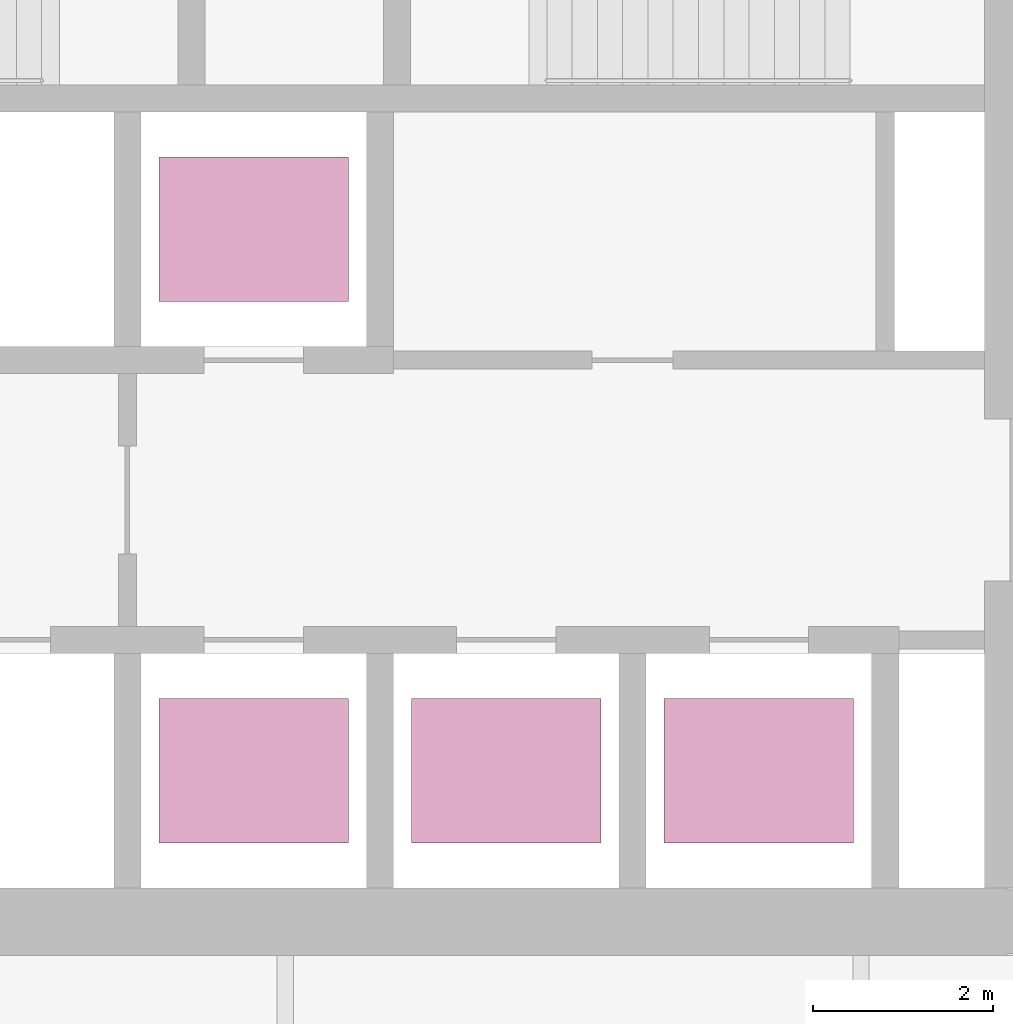
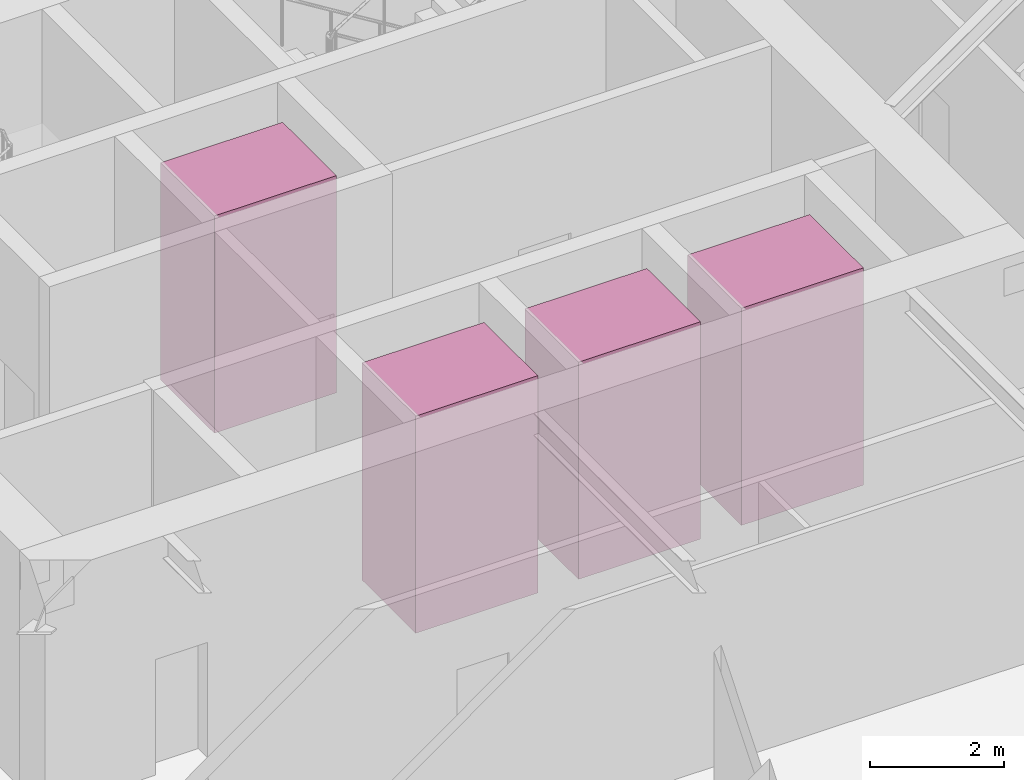
# One storey, part 8 of 9: 4 transport elements.
"""IFC4 building model written with IfcOpenShell, lengths in metres."""

import ifcopenshell
import ifcopenshell.guid

model = None  # the IFC model being written
_history = None  # IfcOwnerHistory: only IFC2X3 demands one
_inside = {}  # id of a spatial element -> (the spatial element, [elements in it])
_under = {}  # id of a project, library or spatial element -> (it, [spatial elements below it])
_declared = {}  # id of a project -> (the project, [libraries it declares])
_typed = {}  # id of a type object -> (the type object, [elements of that type])
_made_of = {}  # id of a material, layer set ... -> (it, [elements and type objects made of it])


def new_model(schema):
    """Start an empty IFC model of exactly this schema.

    Asked for "IFC4X3", IfcOpenShell would pick the latest addendum, in which some entities
    have other attributes; the version numbers below select the first issue.
    IFC2X3 requires an IfcOwnerHistory on every rooted entity: one is made here for all.
    """
    global model, _history
    if schema == "IFC4X3":
        model = ifcopenshell.file(schema_version=(4, 3, 0, 0))
    else:
        model = ifcopenshell.file(schema=schema)
    _inside.clear()
    _under.clear()
    _declared.clear()
    _typed.clear()
    _made_of.clear()
    _history = None
    if model.schema == "IFC2X3":
        org = make("IfcOrganization", Name="unknown")
        user = make(
            "IfcPersonAndOrganization",
            ThePerson=make("IfcPerson", FamilyName="unknown"),
            TheOrganization=org,
        )
        app = make(
            "IfcApplication",
            ApplicationDeveloper=org,
            Version="unknown",
            ApplicationFullName="unknown",
            ApplicationIdentifier="unknown",
        )
        _history = make(
            "IfcOwnerHistory",
            OwningUser=user,
            OwningApplication=app,
            ChangeAction="ADDED",
            CreationDate=0,
        )
    return model


def make(cls, **values):
    """One entity of the class cls with the attributes given. An attribute that is None is left unset."""
    return model.create_entity(
        cls, **{name: value for name, value in values.items() if value is not None}
    )


def rooted(cls, **values):
    """An entity with a GlobalId (a new one), such as an element, a storey or a relation."""
    return make(cls, GlobalId=ifcopenshell.guid.new(), OwnerHistory=_history, **values)


def si_unit(unit_type, name, prefix=None):
    """IfcSIUnit, for example si_unit("LENGTHUNIT", "METRE", prefix="MILLI")."""
    return make("IfcSIUnit", UnitType=unit_type, Prefix=prefix, Name=name)


def assignment(units):
    """IfcUnitAssignment: the units of a project."""
    return None if units is None else make("IfcUnitAssignment", Units=units)


def point(xyz):
    """IfcCartesianPoint."""
    return None if xyz is None else make("IfcCartesianPoint", Coordinates=xyz)


def direction(xyz):
    """IfcDirection."""
    return None if xyz is None else make("IfcDirection", DirectionRatios=xyz)


def frame(location, z_axis=None, x_axis=None):
    """IfcAxis2Placement3D, a coordinate frame: its origin and axes. An axis left out is left unset."""
    return make(
        "IfcAxis2Placement3D",
        Location=point(location),
        Axis=direction(z_axis),
        RefDirection=direction(x_axis),
    )


def frame_2d(location, x_axis=None):
    """IfcAxis2Placement2D, a coordinate frame in the plane: its origin and x axis."""
    return make(
        "IfcAxis2Placement2D", Location=point(location), RefDirection=direction(x_axis)
    )


def origin():
    """The frame at (0, 0, 0) with its axes left unset."""
    return frame((0.0, 0.0, 0.0))


def origin_2d():
    """The frame at (0, 0) in the plane with its x axis left unset."""
    return frame_2d((0.0, 0.0))


def place(relative_to, where):
    """IfcLocalPlacement: puts the frame where relative to a parent placement (None: the world)."""
    return make(
        "IfcLocalPlacement", PlacementRelTo=relative_to, RelativePlacement=where
    )


def context(
    kind, dimensions, precision=None, world=None, true_north=None, identifier=None
):
    """IfcGeometricRepresentationContext, for example the 3D "Model" context."""
    return make(
        "IfcGeometricRepresentationContext",
        ContextIdentifier=identifier,
        ContextType=kind,
        CoordinateSpaceDimension=dimensions,
        Precision=precision,
        WorldCoordinateSystem=world,
        TrueNorth=true_north,
    )


def subcontext(parent, identifier, kind, view, scale=None):
    """IfcGeometricRepresentationSubContext, for example "Body" below "Model"."""
    return make(
        "IfcGeometricRepresentationSubContext",
        ContextIdentifier=identifier,
        ContextType=kind,
        ParentContext=parent,
        TargetScale=scale,
        TargetView=view,
    )


def project(units=None, contexts=None):
    """IfcProject with its units and contexts."""
    return rooted(
        "IfcProject",
        Name="project",
        RepresentationContexts=contexts,
        UnitsInContext=assignment(units),
    )


def spatial(cls, under=None, at=None, **own):
    """A site, building, storey or space (cls), placed at a placement, below another one or the project."""
    s = rooted(cls, ObjectPlacement=at, **own)
    if under is not None:
        _under.setdefault(under.id(), (under, []))[1].append(s)
    return s


def profile(cls, at=None, kind="AREA", **sizes):
    """A parametric profile (cls). Its sizes go by their IFC names, for example OverallWidth=200.0."""
    return make(cls, ProfileType=kind, Position=at, **sizes)


def rectangle(**sizes):
    """IfcRectangleProfileDef."""
    return profile("IfcRectangleProfileDef", **sizes)


def extrude(swept, where, along, depth):
    """IfcExtrudedAreaSolid: the profile swept, set in the frame where, extruded along a direction by depth."""
    return make(
        "IfcExtrudedAreaSolid",
        SweptArea=swept,
        Position=where,
        ExtrudedDirection=direction(along),
        Depth=depth,
    )


def shape(context_of_items, identifier, shape_type, items):
    """IfcShapeRepresentation: the items that make up one representation, for example the "Body"."""
    return make(
        "IfcShapeRepresentation",
        ContextOfItems=context_of_items,
        RepresentationIdentifier=identifier,
        RepresentationType=shape_type,
        Items=items,
    )


def material(Name=None, Category=None):
    """IfcMaterial."""
    return make("IfcMaterial", Name=Name, Category=Category)


def made_of(thing, what):
    """Note that an element or type object is made of a material, layer set ...; save() writes the relation."""
    if what is not None:
        _made_of.setdefault(what.id(), (what, []))[1].append(thing)
    return thing


def type_object(cls, material=None, **own):
    """A type object (cls), such as IfcWallType, which elements share."""
    return made_of(rooted(cls, **own), material)


def element(
    cls,
    number,
    at=None,
    inside=None,
    cuts=None,
    type_object=None,
    material=None,
    context=None,
    identifier="Body",
    shape_type=None,
    held_by="IfcProductDefinitionShape",
    body=None,
    shapes=None,
    **own,
):
    """One element of the class cls, such as IfcWall. Its Tag is "e" and its number.

    at: its placement. inside: the storey or other place that contains it. cuts: it is an
    opening in that element (IfcRelVoidsElement). A single representation is given by context,
    identifier, shape_type and body (its items); several are given by shapes. held_by: the class
    of the entity that holds the representations. save() writes the other relations.
    """
    e = rooted(cls, Tag="e%d" % number, ObjectPlacement=at, **own)
    if body is not None:
        shapes = [shape(context, identifier, shape_type, body)]
    if shapes is not None:
        e.Representation = make(held_by, Representations=shapes)
    if inside is not None:
        _inside.setdefault(inside.id(), (inside, []))[1].append(e)
    if cuts is not None:
        rooted(
            "IfcRelVoidsElement", RelatingBuildingElement=cuts, RelatedOpeningElement=e
        )
    if type_object is not None:
        _typed.setdefault(type_object.id(), (type_object, []))[1].append(e)
    return made_of(e, material)


def aggregate(whole, parts):
    """IfcRelAggregates: a whole, such as a stair, and the parts it consists of."""
    return rooted("IfcRelAggregates", RelatingObject=whole, RelatedObjects=parts)


def save(model, path):
    """Write the relations noted so far, then the file.

    IfcRelAggregates (storeys below a building ...), IfcRelContainedInSpatialStructure (elements
    in a storey), IfcRelDefinesByType, IfcRelAssociatesMaterial and IfcRelDeclares: one each for
    every whole, place, type object, material and project.
    """
    for whole, parts in _under.values():
        aggregate(whole, parts)
    for where, things in _inside.values():
        rooted(
            "IfcRelContainedInSpatialStructure",
            RelatedElements=things,
            RelatingStructure=where,
        )
    for kind, things in _typed.values():
        rooted("IfcRelDefinesByType", RelatedObjects=things, RelatingType=kind)
    for what, things in _made_of.values():
        rooted("IfcRelAssociatesMaterial", RelatedObjects=things, RelatingMaterial=what)
    for by, libraries in _declared.values():
        rooted("IfcRelDeclares", RelatingContext=by, RelatedDefinitions=libraries)
    model.write(path)


model = new_model("IFC4")

# Units and contexts
model_context = context("Model", 3, precision=1e-05, world=origin(), true_north=direction((0.0, 1.0)))
body_context = subcontext(model_context, "Body", "Model", "MODEL_VIEW")
ifc_project = project(units=[si_unit("LENGTHUNIT", "METRE"), si_unit("AREAUNIT", "SQUARE_METRE"), si_unit("VOLUMEUNIT", "CUBIC_METRE"), si_unit("PLANEANGLEUNIT", "RADIAN"), si_unit("MASSUNIT", "GRAM", prefix="KILO")], contexts=[model_context])

# Site, building, storey
site_placement = place(None, origin())
site = spatial("IfcSite", under=ifc_project, at=site_placement, CompositionType="ELEMENT")
building_placement = place(site_placement, origin())
building = spatial("IfcBuilding", under=site, at=building_placement, Name="Firuza Gate Tower and Library", CompositionType="ELEMENT")
storey_placement = place(building_placement, frame((0.0, 0.0, 252.10009765625)))
storey = spatial("IfcBuildingStorey", under=building, at=storey_placement, Name="L59", CompositionType="ELEMENT", Elevation=252.10009765625)

# Transport elements
ifc_material = material(Name="Stainless steel and glass", Category="steel")
transport_element_type = type_object("IfcTransportElementType", Name="High-rise lift car 2100x1600", PredefinedType="ELEVATOR", material=ifc_material)
for number, where, z_axis, x_axis, name in (
    (1, (74.64990234375, 70.300048828125, 0.0), (0.0, 0.0, 1.0), (1.0, 0.0, 0.0), "High-rise lift HR1"),
    (2, (77.449951171875, 70.300048828125, 0.0), (0.0, 0.0, 1.0), (1.0, 0.0, 0.0), "High-rise lift HR2"),
    (3, (80.25, 70.300048828125, 0.0), (0.0, 0.0, 1.0), (1.0, 0.0, 0.0), "High-rise lift HR3"),
    (4, (74.64990234375, 76.300048828125, 0.0), (0.0, 0.0, 1.0), (1.0, 0.0, 0.0), "High-rise lift HR4"),
):
    element("IfcTransportElement", number, at=place(storey_placement, frame(where, z_axis=z_axis, x_axis=x_axis)), inside=storey, type_object=transport_element_type, Name=name, PredefinedType="ELEVATOR", context=body_context, shape_type="SweptSolid", body=[
        extrude(rectangle(XDim=2.10009765625, YDim=1.60009765625, at=origin_2d()), origin(), (0.0, 0.0, 1.0), 3.949951171875),
    ])

save(model, "model.ifc")
